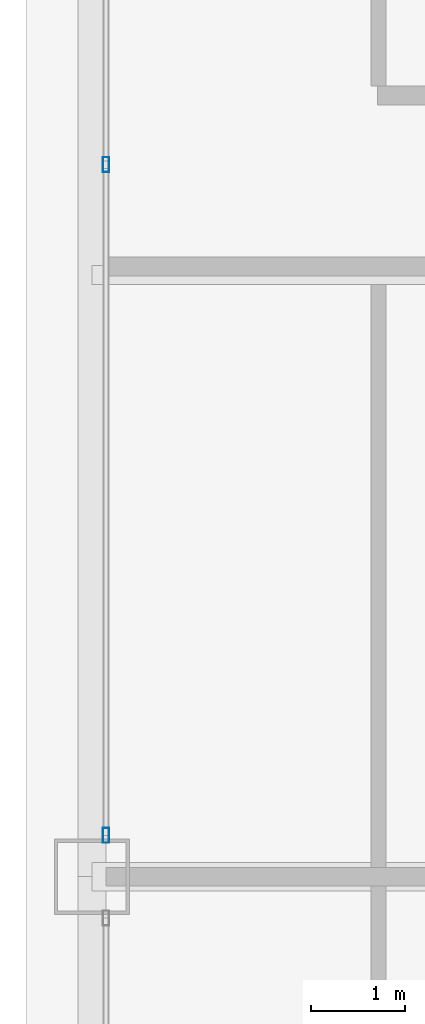
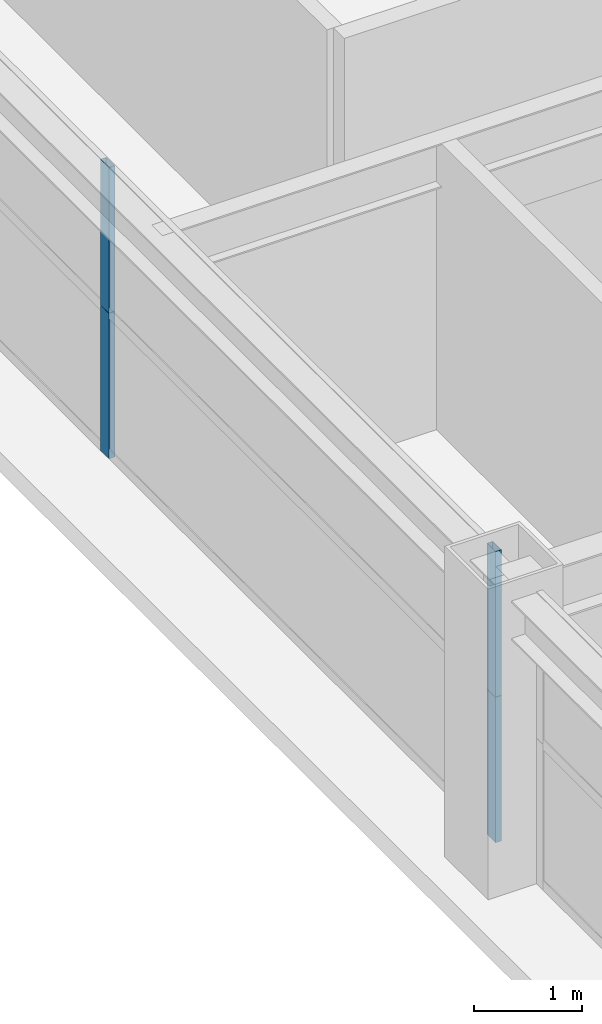
# One storey, part 18 of 45: 4 members, 1 element without a shape of its own.
"""IFC4 building model written with IfcOpenShell, lengths in metres."""

from ifc_helpers import new_model, si_unit, direction, frame, origin, origin_2d, place, context, subcontext, project, spatial, hollow_rectangle, extrude, source, transform, mapped, material, layer, layer_set, material_profile, profile_set, type_object, element, aggregate, save


model = new_model("IFC4")

# Units and contexts
model_context = context("Model", 3, precision=1e-05, world=origin(), true_north=direction((0.0, 1.0)))
body_context = subcontext(model_context, "Body", "Model", "MODEL_VIEW")
ifc_project = project(units=[si_unit("LENGTHUNIT", "METRE"), si_unit("AREAUNIT", "SQUARE_METRE"), si_unit("VOLUMEUNIT", "CUBIC_METRE"), si_unit("PLANEANGLEUNIT", "RADIAN"), si_unit("MASSUNIT", "GRAM", prefix="KILO"), si_unit("THERMODYNAMICTEMPERATUREUNIT", "KELVIN"), si_unit("POWERUNIT", "WATT")], contexts=[model_context])

# Site, building, storey
site_placement = place(None, origin())
site = spatial("IfcSite", under=ifc_project, at=site_placement, CompositionType="ELEMENT")
building_placement = place(site_placement, origin())
building = spatial("IfcBuilding", under=site, at=building_placement, Name="Yuzanri Waterfront Tower", CompositionType="ELEMENT")
storey_placement = place(building_placement, frame((0.0, 0.0, 212.5)))
storey = spatial("IfcBuildingStorey", under=building, at=storey_placement, Name="L56", CompositionType="ELEMENT", Elevation=212.5)

# Curtain wall, members
ifc_material_1 = material(Name="Anodized Architectural Bronze", Category="metal")
ifc_layer = layer(ifc_material_1, 0.159912109375)
ifc_layer_set = layer_set([ifc_layer], Name="Anodized Architectural Bronze")
curtain_wall_type = type_object("IfcCurtainWallType", Name="Anodized Bronze Mid-Rise Residential Acoustic Unitized Curtain Wall 7200", PredefinedType="NOTDEFINED", material=ifc_layer_set)
curtain_wall_placement = place(storey_placement, origin())
curtain_wall = element("IfcCurtainWall", 1, at=curtain_wall_placement, inside=storey, type_object=curtain_wall_type, Name="L56 Curtain Wall CW-L56-WR", PredefinedType="NOTDEFINED")
ifc_material_2 = material(Name="Anodized Architectural Bronze", Category="metal")
ifc_material_profile = material_profile(ifc_material_2, hollow_rectangle(XDim=0.06494140625, YDim=0.159912109375, WallThickness=0.00341796875, at=origin_2d()), Name="CWM 65x160")
ifc_profile_set = profile_set([ifc_material_profile], Name="Anodized Architectural Bronze")
member_type = type_object("IfcMemberType", Name="Anodized Bronze Upper-Zone Curtain-Wall Mullion 65x160", PredefinedType="MULLION", material=ifc_profile_set)
shared_shape = source(origin(), body_context, "Body", "SweptSolid", [
    extrude(hollow_rectangle(XDim=0.06494140625, YDim=0.159912109375, WallThickness=0.00341796875, at=origin_2d()), origin(), (0.0, 0.0, 1.0), 1.637939453125),
])
member_1_placement = place(storey_placement, frame((15.050048828125, 26.239990234375, 0.0), z_axis=(0.0, 0.0, 1.0), x_axis=(1.0, 0.0, 0.0)))
member_1 = element("IfcMember", 2, at=member_1_placement, type_object=member_type, Name="CW-L56-WR Lower Mullion 00", PredefinedType="MULLION", context=body_context, shape_type="MappedRepresentation", body=[
    mapped(shared_shape, transform((0.0, 0.0, 0.0), scale=1.0)),
])
member_2_placement = place(storey_placement, frame((15.050048828125, 26.239990234375, 1.64208984375), z_axis=(0.0, 0.0, 1.0), x_axis=(1.0, 0.0, 0.0)))
member_2 = element("IfcMember", 3, at=member_2_placement, type_object=member_type, Name="CW-L56-WR Upper Mullion 00", PredefinedType="MULLION", context=body_context, shape_type="MappedRepresentation", body=[
    mapped(shared_shape, transform((0.0, 0.0, 0.0), scale=1.0)),
])
member_3_placement = place(storey_placement, frame((15.050048828125, 33.375, 0.0), z_axis=(0.0, 0.0, 1.0), x_axis=(1.0, 0.0, 0.0)))
member_3 = element("IfcMember", 4, at=member_3_placement, type_object=member_type, Name="CW-L56-WR Lower Mullion 01", PredefinedType="MULLION", context=body_context, shape_type="MappedRepresentation", body=[
    mapped(shared_shape, transform((0.0, 0.0, 0.0), scale=1.0)),
])
member_4_placement = place(storey_placement, frame((15.050048828125, 33.375, 1.64208984375), z_axis=(0.0, 0.0, 1.0), x_axis=(1.0, 0.0, 0.0)))
member_4 = element("IfcMember", 5, at=member_4_placement, type_object=member_type, Name="CW-L56-WR Upper Mullion 01", PredefinedType="MULLION", context=body_context, shape_type="MappedRepresentation", body=[
    mapped(shared_shape, transform((0.0, 0.0, 0.0), scale=1.0)),
])
aggregate(curtain_wall, [member_1, member_2, member_3, member_4])

save(model, "model.ifc")
